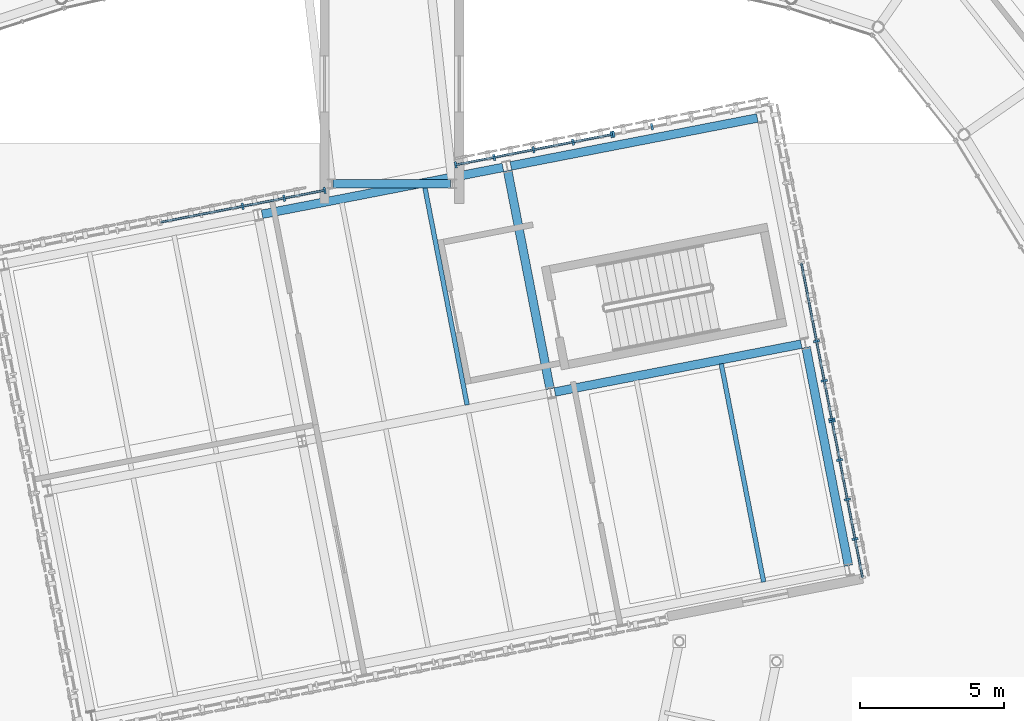
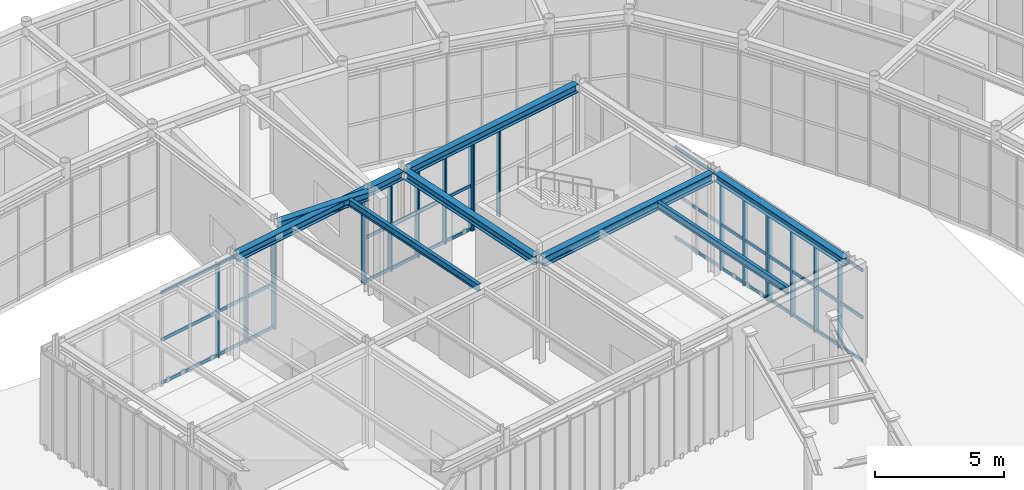
# One storey, part 45 of 97: 29 members, 8 beams, 5 elements without a shape of their own.
"""IFC4 building model written with IfcOpenShell, lengths in metres."""

import ifcopenshell
import ifcopenshell.guid

model = None  # the IFC model being written
_history = None  # IfcOwnerHistory: only IFC2X3 demands one
_inside = {}  # id of a spatial element -> (the spatial element, [elements in it])
_under = {}  # id of a project, library or spatial element -> (it, [spatial elements below it])
_declared = {}  # id of a project -> (the project, [libraries it declares])
_typed = {}  # id of a type object -> (the type object, [elements of that type])
_made_of = {}  # id of a material, layer set ... -> (it, [elements and type objects made of it])


def new_model(schema):
    """Start an empty IFC model of exactly this schema.

    Asked for "IFC4X3", IfcOpenShell would pick the latest addendum, in which some entities
    have other attributes; the version numbers below select the first issue.
    IFC2X3 requires an IfcOwnerHistory on every rooted entity: one is made here for all.
    """
    global model, _history
    if schema == "IFC4X3":
        model = ifcopenshell.file(schema_version=(4, 3, 0, 0))
    else:
        model = ifcopenshell.file(schema=schema)
    _inside.clear()
    _under.clear()
    _declared.clear()
    _typed.clear()
    _made_of.clear()
    _history = None
    if model.schema == "IFC2X3":
        org = make("IfcOrganization", Name="unknown")
        user = make(
            "IfcPersonAndOrganization",
            ThePerson=make("IfcPerson", FamilyName="unknown"),
            TheOrganization=org,
        )
        app = make(
            "IfcApplication",
            ApplicationDeveloper=org,
            Version="unknown",
            ApplicationFullName="unknown",
            ApplicationIdentifier="unknown",
        )
        _history = make(
            "IfcOwnerHistory",
            OwningUser=user,
            OwningApplication=app,
            ChangeAction="ADDED",
            CreationDate=0,
        )
    return model


def make(cls, **values):
    """One entity of the class cls with the attributes given. An attribute that is None is left unset."""
    return model.create_entity(
        cls, **{name: value for name, value in values.items() if value is not None}
    )


def rooted(cls, **values):
    """An entity with a GlobalId (a new one), such as an element, a storey or a relation."""
    return make(cls, GlobalId=ifcopenshell.guid.new(), OwnerHistory=_history, **values)


def si_unit(unit_type, name, prefix=None):
    """IfcSIUnit, for example si_unit("LENGTHUNIT", "METRE", prefix="MILLI")."""
    return make("IfcSIUnit", UnitType=unit_type, Prefix=prefix, Name=name)


def assignment(units):
    """IfcUnitAssignment: the units of a project."""
    return None if units is None else make("IfcUnitAssignment", Units=units)


def point(xyz):
    """IfcCartesianPoint."""
    return None if xyz is None else make("IfcCartesianPoint", Coordinates=xyz)


def direction(xyz):
    """IfcDirection."""
    return None if xyz is None else make("IfcDirection", DirectionRatios=xyz)


def frame(location, z_axis=None, x_axis=None):
    """IfcAxis2Placement3D, a coordinate frame: its origin and axes. An axis left out is left unset."""
    return make(
        "IfcAxis2Placement3D",
        Location=point(location),
        Axis=direction(z_axis),
        RefDirection=direction(x_axis),
    )


def frame_2d(location, x_axis=None):
    """IfcAxis2Placement2D, a coordinate frame in the plane: its origin and x axis."""
    return make(
        "IfcAxis2Placement2D", Location=point(location), RefDirection=direction(x_axis)
    )


def origin():
    """The frame at (0, 0, 0) with its axes left unset."""
    return frame((0.0, 0.0, 0.0))


def origin_2d():
    """The frame at (0, 0) in the plane with its x axis left unset."""
    return frame_2d((0.0, 0.0))


def place(relative_to, where):
    """IfcLocalPlacement: puts the frame where relative to a parent placement (None: the world)."""
    return make(
        "IfcLocalPlacement", PlacementRelTo=relative_to, RelativePlacement=where
    )


def context(
    kind, dimensions, precision=None, world=None, true_north=None, identifier=None
):
    """IfcGeometricRepresentationContext, for example the 3D "Model" context."""
    return make(
        "IfcGeometricRepresentationContext",
        ContextIdentifier=identifier,
        ContextType=kind,
        CoordinateSpaceDimension=dimensions,
        Precision=precision,
        WorldCoordinateSystem=world,
        TrueNorth=true_north,
    )


def subcontext(parent, identifier, kind, view, scale=None):
    """IfcGeometricRepresentationSubContext, for example "Body" below "Model"."""
    return make(
        "IfcGeometricRepresentationSubContext",
        ContextIdentifier=identifier,
        ContextType=kind,
        ParentContext=parent,
        TargetScale=scale,
        TargetView=view,
    )


def project(units=None, contexts=None):
    """IfcProject with its units and contexts."""
    return rooted(
        "IfcProject",
        Name="project",
        RepresentationContexts=contexts,
        UnitsInContext=assignment(units),
    )


def spatial(cls, under=None, at=None, **own):
    """A site, building, storey or space (cls), placed at a placement, below another one or the project."""
    s = rooted(cls, ObjectPlacement=at, **own)
    if under is not None:
        _under.setdefault(under.id(), (under, []))[1].append(s)
    return s


def profile(cls, at=None, kind="AREA", **sizes):
    """A parametric profile (cls). Its sizes go by their IFC names, for example OverallWidth=200.0."""
    return make(cls, ProfileType=kind, Position=at, **sizes)


def rectangle(**sizes):
    """IfcRectangleProfileDef."""
    return profile("IfcRectangleProfileDef", **sizes)


def i_section(**sizes):
    """IfcIShapeProfileDef."""
    return profile("IfcIShapeProfileDef", **sizes)


def extrude(swept, where, along, depth):
    """IfcExtrudedAreaSolid: the profile swept, set in the frame where, extruded along a direction by depth."""
    return make(
        "IfcExtrudedAreaSolid",
        SweptArea=swept,
        Position=where,
        ExtrudedDirection=direction(along),
        Depth=depth,
    )


def shape(context_of_items, identifier, shape_type, items):
    """IfcShapeRepresentation: the items that make up one representation, for example the "Body"."""
    return make(
        "IfcShapeRepresentation",
        ContextOfItems=context_of_items,
        RepresentationIdentifier=identifier,
        RepresentationType=shape_type,
        Items=items,
    )


def material(Name=None, Category=None):
    """IfcMaterial."""
    return make("IfcMaterial", Name=Name, Category=Category)


def material_profile(
    of_material, cross_section, Name=None, Category=None, Priority=None
):
    """IfcMaterialProfile: a cross section and its material."""
    return make(
        "IfcMaterialProfile",
        Name=Name,
        Material=of_material,
        Profile=cross_section,
        Priority=Priority,
        Category=Category,
    )


def profile_set(profiles, Name=None, composite=None):
    """IfcMaterialProfileSet."""
    return make(
        "IfcMaterialProfileSet",
        Name=Name,
        MaterialProfiles=profiles,
        CompositeProfile=composite,
    )


def made_of(thing, what):
    """Note that an element or type object is made of a material, layer set ...; save() writes the relation."""
    if what is not None:
        _made_of.setdefault(what.id(), (what, []))[1].append(thing)
    return thing


def type_object(cls, material=None, **own):
    """A type object (cls), such as IfcWallType, which elements share."""
    return made_of(rooted(cls, **own), material)


def element(
    cls,
    number,
    at=None,
    inside=None,
    cuts=None,
    type_object=None,
    material=None,
    context=None,
    identifier="Body",
    shape_type=None,
    held_by="IfcProductDefinitionShape",
    body=None,
    shapes=None,
    **own,
):
    """One element of the class cls, such as IfcWall. Its Tag is "e" and its number.

    at: its placement. inside: the storey or other place that contains it. cuts: it is an
    opening in that element (IfcRelVoidsElement). A single representation is given by context,
    identifier, shape_type and body (its items); several are given by shapes. held_by: the class
    of the entity that holds the representations. save() writes the other relations.
    """
    e = rooted(cls, Tag="e%d" % number, ObjectPlacement=at, **own)
    if body is not None:
        shapes = [shape(context, identifier, shape_type, body)]
    if shapes is not None:
        e.Representation = make(held_by, Representations=shapes)
    if inside is not None:
        _inside.setdefault(inside.id(), (inside, []))[1].append(e)
    if cuts is not None:
        rooted(
            "IfcRelVoidsElement", RelatingBuildingElement=cuts, RelatedOpeningElement=e
        )
    if type_object is not None:
        _typed.setdefault(type_object.id(), (type_object, []))[1].append(e)
    return made_of(e, material)


def aggregate(whole, parts):
    """IfcRelAggregates: a whole, such as a stair, and the parts it consists of."""
    return rooted("IfcRelAggregates", RelatingObject=whole, RelatedObjects=parts)


def save(model, path):
    """Write the relations noted so far, then the file.

    IfcRelAggregates (storeys below a building ...), IfcRelContainedInSpatialStructure (elements
    in a storey), IfcRelDefinesByType, IfcRelAssociatesMaterial and IfcRelDeclares: one each for
    every whole, place, type object, material and project.
    """
    for whole, parts in _under.values():
        aggregate(whole, parts)
    for where, things in _inside.values():
        rooted(
            "IfcRelContainedInSpatialStructure",
            RelatedElements=things,
            RelatingStructure=where,
        )
    for kind, things in _typed.values():
        rooted("IfcRelDefinesByType", RelatedObjects=things, RelatingType=kind)
    for what, things in _made_of.values():
        rooted("IfcRelAssociatesMaterial", RelatedObjects=things, RelatingMaterial=what)
    for by, libraries in _declared.values():
        rooted("IfcRelDeclares", RelatingContext=by, RelatedDefinitions=libraries)
    model.write(path)


model = new_model("IFC4")

# Units and contexts
model_context = context("Model", 3, precision=1e-05, world=origin(), true_north=direction((0.0, 1.0)))
body_context = subcontext(model_context, "Body", "Model", "MODEL_VIEW")
ifc_project = project(units=[si_unit("LENGTHUNIT", "METRE"), si_unit("AREAUNIT", "SQUARE_METRE"), si_unit("VOLUMEUNIT", "CUBIC_METRE"), si_unit("PLANEANGLEUNIT", "RADIAN"), si_unit("MASSUNIT", "GRAM", prefix="KILO")], contexts=[model_context])

# Site, building, storey
site_placement = place(None, origin())
site = spatial("IfcSite", under=ifc_project, at=site_placement, CompositionType="ELEMENT")
building_placement = place(site_placement, origin())
building = spatial("IfcBuilding", under=site, at=building_placement, Name="Varnklinge Art Gallery", CompositionType="ELEMENT")
storey_placement = place(building_placement, origin())
storey = spatial("IfcBuildingStorey", under=building, at=storey_placement, Name="L00", CompositionType="ELEMENT", Elevation=0.0)

# Beams
ifc_material_1 = material(Name="Steel S355", Category="steel")
ifc_material_profile_1 = material_profile(ifc_material_1, i_section(OverallWidth=0.300048828125, OverallDepth=0.43994140625, WebThickness=0.011474609375, FlangeThickness=0.02099609375, FilletRadius=0.027099609375, at=origin_2d()), Name="HEA 450")
ifc_profile_set_1 = profile_set([ifc_material_profile_1], Name="Steel S355")
beam_type_1 = type_object("IfcBeamType", Name="BM-08", PredefinedType="BEAM", material=ifc_profile_set_1)
beam_1_placement = place(storey_placement, frame((79.95654296875, 73.3662109375, 4.659912109375), z_axis=(0.981628064538, 0.190804462503, 0.0), x_axis=(-0.190804462503, 0.981628064538, 0.0)))
element("IfcBeam", 1, at=beam_1_placement, inside=storey, type_object=beam_type_1, Name="L00 BM-08 BM-V4B-L01-U1-2", PredefinedType="BEAM", context=body_context, shape_type="SweptSolid", body=[
    extrude(i_section(OverallWidth=0.300048828125, OverallDepth=0.43994140625, WebThickness=0.011474609375, FlangeThickness=0.02099609375, FilletRadius=0.027099609375, at=origin_2d()), origin(), (0.0, 0.0, 1.0), 8.719970703125),
])
ifc_material_2 = material(Name="Steel S355", Category="steel")
ifc_material_profile_2 = material_profile(ifc_material_2, i_section(OverallWidth=0.300048828125, OverallDepth=0.389892578125, WebThickness=0.010986328125, FlangeThickness=0.01904296875, FilletRadius=0.027099609375, at=origin_2d()), Name="HEA 400")
ifc_profile_set_2 = profile_set([ifc_material_profile_2], Name="Steel S355")
beam_type_2 = type_object("IfcBeamType", Name="BM-09", PredefinedType="BEAM", material=ifc_profile_set_2)
beam_2_placement = place(storey_placement, frame((79.79248046875, 73.47705078125, 4.68505859375), z_axis=(-0.190822257393, 0.98162460548, 0.0), x_axis=(-0.98162460548, -0.190822257393, 0.0)))
element("IfcBeam", 2, at=beam_2_placement, inside=storey, type_object=beam_type_2, Name="L00 BM-09 BM-V4B-L01-V2-1", PredefinedType="BEAM", context=body_context, shape_type="SweptSolid", body=[
    extrude(i_section(OverallWidth=0.300048828125, OverallDepth=0.389892578125, WebThickness=0.010986328125, FlangeThickness=0.01904296875, FilletRadius=0.027099609375, at=origin_2d()), origin(), (0.0, 0.0, 1.0), 7.719970703125),
])
beam_3_placement = place(storey_placement, frame((72.260009765625, 80.60009765625, 4.68505859375), z_axis=(1.0, 0.0, 0.0), x_axis=(0.0, 1.0, 0.0)))
element("IfcBeam", 3, at=beam_3_placement, inside=storey, type_object=beam_type_2, Name="L00 BM-09 BM-LNK-V4N-L01-1", PredefinedType="BEAM", context=body_context, shape_type="SweptSolid", body=[
    extrude(i_section(OverallWidth=0.300048828125, OverallDepth=0.389892578125, WebThickness=0.010986328125, FlangeThickness=0.01904296875, FilletRadius=0.027099609375, at=origin_2d()), origin(), (0.0, 0.0, 1.0), 4.080078125),
])
ifc_material_3 = material(Name="Steel S355", Category="steel")
ifc_material_profile_3 = material_profile(ifc_material_3, i_section(OverallWidth=0.159912109375, OverallDepth=0.330078125, WebThickness=0.007568359375, FlangeThickness=0.011474609375, FilletRadius=0.01806640625, at=origin_2d()), Name="IPE 330")
ifc_profile_set_3 = profile_set([ifc_material_profile_3], Name="Steel S355")
beam_type_3 = type_object("IfcBeamType", Name="JST-07", PredefinedType="JOIST", material=ifc_profile_set_3)
beam_4_placement = place(storey_placement, frame((76.9130859375, 72.917236328125, 4.715087890625), z_axis=(-0.190816333803, 0.981625756974, 0.0), x_axis=(-0.981625756974, -0.190816333803, 0.0)))
element("IfcBeam", 4, at=beam_4_placement, inside=storey, type_object=beam_type_3, Name="L00 JST-07 JST-V4B-L01-1-1-2", PredefinedType="JOIST", context=body_context, shape_type="SweptSolid", body=[
    extrude(i_section(OverallWidth=0.159912109375, OverallDepth=0.330078125, WebThickness=0.007568359375, FlangeThickness=0.011474609375, FilletRadius=0.01806640625, at=origin_2d()), origin(), (0.0, 0.0, 1.0), 7.72021484375),
])
beam_5_placement = place(storey_placement, frame((87.208740234375, 66.768798828125, 4.715087890625), z_axis=(-0.190822257393, 0.98162460548, 0.0), x_axis=(-0.98162460548, -0.190822257393, 0.0)))
element("IfcBeam", 5, at=beam_5_placement, inside=storey, type_object=beam_type_3, Name="L00 JST-07 JST-V4B-L01-2-0-2", PredefinedType="JOIST", context=body_context, shape_type="SweptSolid", body=[
    extrude(i_section(OverallWidth=0.159912109375, OverallDepth=0.330078125, WebThickness=0.007568359375, FlangeThickness=0.011474609375, FilletRadius=0.01806640625, at=origin_2d()), origin(), (0.0, 0.0, 1.0), 7.719970703125),
])

# Curtain wall, members
ifc_material_4 = material(Name="Anodised Aluminium", Category="aluminium")
curtain_wall_type_1 = type_object("IfcCurtainWallType", Name="CW-L05", PredefinedType="USERDEFINED", material=ifc_material_4)
curtain_wall_1_placement = place(storey_placement, origin())
curtain_wall_1 = element("IfcCurtainWall", 6, at=curtain_wall_1_placement, inside=storey, type_object=curtain_wall_type_1, Name="L00 Curtain Wall CW-V4B-L00-2-1-1", ObjectType="UNITISED CURTAIN WALL", PredefinedType="USERDEFINED")
ifc_material_5 = material(Name="Anodised Aluminium", Category="aluminium")
ifc_material_profile_4 = material_profile(ifc_material_5, rectangle(XDim=0.074951171875, YDim=0.219970703125, at=origin_2d()), Name="ALU 75x220")
ifc_profile_set_4 = profile_set([ifc_material_profile_4], Name="Anodised Aluminium")
member_type_1 = type_object("IfcMemberType", Name="MUL-02", PredefinedType="MULLION", material=ifc_profile_set_4)
member_1_placement = place(storey_placement, frame((90.382080078125, 68.26171875, 0.0), z_axis=(0.0, 0.0, 1.0), x_axis=(-0.190808995377, 0.981627183448, 0.0)))
member_1 = element("IfcMember", 7, at=member_1_placement, type_object=member_type_1, Name="CW-V4B-L00-2-1-1 Mullion 2", PredefinedType="MULLION", context=body_context, shape_type="SweptSolid", body=[
    extrude(rectangle(XDim=0.074951171875, YDim=0.219970703125, at=origin_2d()), origin(), (0.0, 0.0, 1.0), 4.429931640625),
])
member_2_placement = place(storey_placement, frame((90.114990234375, 69.635986328125, 0.0), z_axis=(0.0, 0.0, 1.0), x_axis=(-0.190808995377, 0.981627183448, 0.0)))
member_2 = element("IfcMember", 8, at=member_2_placement, type_object=member_type_1, Name="CW-V4B-L00-2-1-1 Mullion 3", PredefinedType="MULLION", context=body_context, shape_type="SweptSolid", body=[
    extrude(rectangle(XDim=0.074951171875, YDim=0.219970703125, at=origin_2d()), origin(), (0.0, 0.0, 1.0), 4.429931640625),
])
member_3_placement = place(storey_placement, frame((89.847900390625, 71.01025390625, 0.0), z_axis=(0.0, 0.0, 1.0), x_axis=(-0.190808995377, 0.981627183448, 0.0)))
member_3 = element("IfcMember", 9, at=member_3_placement, type_object=member_type_1, Name="CW-V4B-L00-2-1-1 Mullion 4", PredefinedType="MULLION", context=body_context, shape_type="SweptSolid", body=[
    extrude(rectangle(XDim=0.074951171875, YDim=0.219970703125, at=origin_2d()), origin(), (0.0, 0.0, 1.0), 4.429931640625),
])
member_4_placement = place(storey_placement, frame((89.587890625, 72.347900390625, 0.0), z_axis=(0.0, 0.0, 1.0), x_axis=(-0.190808995377, 0.981627183448, 0.0)))
member_4 = element("IfcMember", 10, at=member_4_placement, type_object=member_type_1, Name="CW-V4B-L00-2-1-1 Mullion 5", PredefinedType="MULLION", context=body_context, shape_type="SweptSolid", body=[
    extrude(rectangle(XDim=0.074951171875, YDim=0.219970703125, at=origin_2d()), origin(), (0.0, 0.0, 1.0), 4.429931640625),
])

curtain_wall_2_placement = place(storey_placement, origin())
curtain_wall_2 = element("IfcCurtainWall", 11, at=curtain_wall_2_placement, inside=storey, type_object=curtain_wall_type_1, Name="L00 Curtain Wall CW-V4B-L00-2-1-2", ObjectType="UNITISED CURTAIN WALL", PredefinedType="USERDEFINED")
member_5_placement = place(storey_placement, frame((89.573486328125, 72.42138671875, 0.0), z_axis=(0.0, 0.0, 1.0), x_axis=(-0.190808995377, 0.981627183448, 0.0)))
member_5 = element("IfcMember", 12, at=member_5_placement, type_object=member_type_1, Name="CW-V4B-L00-2-1-2 Mullion 1", PredefinedType="MULLION", context=body_context, shape_type="SweptSolid", body=[
    extrude(rectangle(XDim=0.074951171875, YDim=0.219970703125, at=origin_2d()), origin(), (0.0, 0.0, 1.0), 4.429931640625),
])
member_6_placement = place(storey_placement, frame((89.313720703125, 73.7587890625, 0.0), z_axis=(0.0, 0.0, 1.0), x_axis=(-0.190808995377, 0.981627183448, 0.0)))
member_6 = element("IfcMember", 13, at=member_6_placement, type_object=member_type_1, Name="CW-V4B-L00-2-1-2 Mullion 2", PredefinedType="MULLION", context=body_context, shape_type="SweptSolid", body=[
    extrude(rectangle(XDim=0.074951171875, YDim=0.219970703125, at=origin_2d()), origin(), (0.0, 0.0, 1.0), 4.429931640625),
])
member_7_placement = place(storey_placement, frame((89.04638671875, 75.13330078125, 0.0), z_axis=(0.0, 0.0, 1.0), x_axis=(-0.190808995377, 0.981627183448, 0.0)))
member_7 = element("IfcMember", 14, at=member_7_placement, type_object=member_type_1, Name="CW-V4B-L00-2-1-2 Mullion 3", PredefinedType="MULLION", context=body_context, shape_type="SweptSolid", body=[
    extrude(rectangle(XDim=0.074951171875, YDim=0.219970703125, at=origin_2d()), origin(), (0.0, 0.0, 1.0), 4.429931640625),
])

curtain_wall_3_placement = place(storey_placement, origin())
curtain_wall_3 = element("IfcCurtainWall", 15, at=curtain_wall_3_placement, inside=storey, type_object=curtain_wall_type_1, Name="L00 Curtain Wall CW-V4B-L00-3-1-1", ObjectType="UNITISED CURTAIN WALL", PredefinedType="USERDEFINED")
member_8_placement = place(storey_placement, frame((83.332275390625, 82.57958984375, 0.0), z_axis=(0.0, 0.0, 1.0), x_axis=(-0.981627183448, -0.190808995377, 0.0)))
member_8 = element("IfcMember", 16, at=member_8_placement, type_object=member_type_1, Name="CW-V4B-L00-3-1-1 Mullion 4", PredefinedType="MULLION", context=body_context, shape_type="SweptSolid", body=[
    extrude(rectangle(XDim=0.074951171875, YDim=0.219970703125, at=origin_2d()), origin(), (0.0, 0.0, 1.0), 4.429931640625),
])
member_9_placement = place(storey_placement, frame((81.99853515625, 82.3203125, 0.0), z_axis=(0.0, 0.0, 1.0), x_axis=(-0.981627183448, -0.190808995377, 0.0)))
member_9 = element("IfcMember", 17, at=member_9_placement, type_object=member_type_1, Name="CW-V4B-L00-3-1-1 Mullion 5", PredefinedType="MULLION", context=body_context, shape_type="SweptSolid", body=[
    extrude(rectangle(XDim=0.074951171875, YDim=0.219970703125, at=origin_2d()), origin(), (0.0, 0.0, 1.0), 4.429931640625),
])
aggregate(curtain_wall_3, [member_8, member_9])

curtain_wall_4_placement = place(storey_placement, origin())
curtain_wall_4 = element("IfcCurtainWall", 18, at=curtain_wall_4_placement, inside=storey, type_object=curtain_wall_type_1, Name="L00 Curtain Wall CW-V4B-L00-3-1-2", ObjectType="UNITISED CURTAIN WALL", PredefinedType="USERDEFINED")
member_10_placement = place(storey_placement, frame((81.925048828125, 82.305908203125, 0.0), z_axis=(0.0, 0.0, 1.0), x_axis=(-0.981627183448, -0.190808995377, 0.0)))
member_10 = element("IfcMember", 19, at=member_10_placement, type_object=member_type_1, Name="CW-V4B-L00-3-1-2 Mullion 1", PredefinedType="MULLION", context=body_context, shape_type="SweptSolid", body=[
    extrude(rectangle(XDim=0.074951171875, YDim=0.219970703125, at=origin_2d()), origin(), (0.0, 0.0, 1.0), 4.429931640625),
])
member_11_placement = place(storey_placement, frame((80.59130859375, 82.046875, 0.0), z_axis=(0.0, 0.0, 1.0), x_axis=(-0.981627183448, -0.190808995377, 0.0)))
member_11 = element("IfcMember", 20, at=member_11_placement, type_object=member_type_1, Name="CW-V4B-L00-3-1-2 Mullion 2", PredefinedType="MULLION", context=body_context, shape_type="SweptSolid", body=[
    extrude(rectangle(XDim=0.074951171875, YDim=0.219970703125, at=origin_2d()), origin(), (0.0, 0.0, 1.0), 4.429931640625),
])
member_12_placement = place(storey_placement, frame((79.220947265625, 81.780517578125, 0.0), z_axis=(0.0, 0.0, 1.0), x_axis=(-0.981627183448, -0.190808995377, 0.0)))
member_12 = element("IfcMember", 21, at=member_12_placement, type_object=member_type_1, Name="CW-V4B-L00-3-1-2 Mullion 3", PredefinedType="MULLION", context=body_context, shape_type="SweptSolid", body=[
    extrude(rectangle(XDim=0.074951171875, YDim=0.219970703125, at=origin_2d()), origin(), (0.0, 0.0, 1.0), 4.429931640625),
])
member_13_placement = place(storey_placement, frame((77.850341796875, 81.51416015625, 0.0), z_axis=(0.0, 0.0, 1.0), x_axis=(-0.981627183448, -0.190808995377, 0.0)))
member_13 = element("IfcMember", 22, at=member_13_placement, type_object=member_type_1, Name="CW-V4B-L00-3-1-2 Mullion 4", PredefinedType="MULLION", context=body_context, shape_type="SweptSolid", body=[
    extrude(rectangle(XDim=0.074951171875, YDim=0.219970703125, at=origin_2d()), origin(), (0.0, 0.0, 1.0), 4.429931640625),
])
member_14_placement = place(storey_placement, frame((76.516845703125, 81.2548828125, 0.0), z_axis=(0.0, 0.0, 1.0), x_axis=(-0.981627183448, -0.190808995377, 0.0)))
member_14 = element("IfcMember", 23, at=member_14_placement, type_object=member_type_1, Name="CW-V4B-L00-3-1-2 Mullion 5", PredefinedType="MULLION", context=body_context, shape_type="SweptSolid", body=[
    extrude(rectangle(XDim=0.074951171875, YDim=0.219970703125, at=origin_2d()), origin(), (0.0, 0.0, 1.0), 4.429931640625),
])

ifc_material_6 = material(Name="Anodised Aluminium", Category="aluminium")
curtain_wall_type_2 = type_object("IfcCurtainWallType", Name="CW-L01", PredefinedType="USERDEFINED", material=ifc_material_6)
curtain_wall_5_placement = place(storey_placement, origin())
curtain_wall_5 = element("IfcCurtainWall", 24, at=curtain_wall_5_placement, inside=storey, type_object=curtain_wall_type_2, Name="L00 Curtain Wall CW-V4B-L00-3-2-1", ObjectType="UNITISED CURTAIN WALL", PredefinedType="USERDEFINED")
member_15_placement = place(storey_placement, frame((71.963134765625, 80.36962890625, 0.0), z_axis=(0.0, 0.0, 1.0), x_axis=(-0.981627183448, -0.190808995377, 0.0)))
member_15 = element("IfcMember", 25, at=member_15_placement, type_object=member_type_1, Name="CW-V4B-L00-3-2-1 Mullion 1", PredefinedType="MULLION", context=body_context, shape_type="SweptSolid", body=[
    extrude(rectangle(XDim=0.074951171875, YDim=0.219970703125, at=origin_2d()), origin(), (0.0, 0.0, 1.0), 4.429931640625),
])
member_16_placement = place(storey_placement, frame((70.558837890625, 80.0966796875, 0.0), z_axis=(0.0, 0.0, 1.0), x_axis=(-0.981627183448, -0.190808995377, 0.0)))
member_16 = element("IfcMember", 26, at=member_16_placement, type_object=member_type_1, Name="CW-V4B-L00-3-2-1 Mullion 2", PredefinedType="MULLION", context=body_context, shape_type="SweptSolid", body=[
    extrude(rectangle(XDim=0.074951171875, YDim=0.219970703125, at=origin_2d()), origin(), (0.0, 0.0, 1.0), 4.429931640625),
])
member_17_placement = place(storey_placement, frame((69.11767578125, 79.816650390625, 0.0), z_axis=(0.0, 0.0, 1.0), x_axis=(-0.981627183448, -0.190808995377, 0.0)))
member_17 = element("IfcMember", 27, at=member_17_placement, type_object=member_type_1, Name="CW-V4B-L00-3-2-1 Mullion 3", PredefinedType="MULLION", context=body_context, shape_type="SweptSolid", body=[
    extrude(rectangle(XDim=0.074951171875, YDim=0.219970703125, at=origin_2d()), origin(), (0.0, 0.0, 1.0), 4.429931640625),
])

# Beams
ifc_material_7 = material(Name="Steel S355", Category="steel")
ifc_material_profile_5 = material_profile(ifc_material_7, i_section(OverallWidth=0.300048828125, OverallDepth=0.389892578125, WebThickness=0.010986328125, FlangeThickness=0.01904296875, FilletRadius=0.027099609375, at=origin_2d()), Name="HEA 400")
ifc_profile_set_5 = profile_set([ifc_material_profile_5], Name="Steel S355")
beam_type_4 = type_object("IfcBeamType", Name="SPB-03", PredefinedType="SPANDREL", material=ifc_profile_set_5)
beam_6_placement = place(storey_placement, frame((69.791748046875, 79.540283203125, 4.68505859375), z_axis=(0.981626572932, 0.190812136181, 0.0), x_axis=(-0.190812136181, 0.981626572932, 0.0)))
element("IfcBeam", 28, at=beam_6_placement, inside=storey, type_object=beam_type_4, Name="L00 SPB-03 BM-V4B-L01-U2-1", PredefinedType="SPANDREL", context=body_context, shape_type="SweptSolid", body=[
    extrude(i_section(OverallWidth=0.300048828125, OverallDepth=0.389892578125, WebThickness=0.010986328125, FlangeThickness=0.01904296875, FilletRadius=0.027099609375, at=origin_2d()), origin(), (0.0, 0.0, 1.0), 8.52001953125),
])
beam_7_placement = place(storey_placement, frame((78.43017578125, 81.21923828125, 4.68505859375), z_axis=(0.98162282025, 0.190831440713, 0.0), x_axis=(-0.190831440713, 0.98162282025, 0.0)))
element("IfcBeam", 29, at=beam_7_placement, inside=storey, type_object=beam_type_4, Name="L00 SPB-03 BM-V4B-L01-U2-2", PredefinedType="SPANDREL", context=body_context, shape_type="SweptSolid", body=[
    extrude(i_section(OverallWidth=0.300048828125, OverallDepth=0.389892578125, WebThickness=0.010986328125, FlangeThickness=0.01904296875, FilletRadius=0.027099609375, at=origin_2d()), origin(), (0.0, 0.0, 1.0), 8.719970703125),
])
ifc_material_8 = material(Name="Steel S355", Category="steel")
ifc_material_profile_6 = material_profile(ifc_material_8, i_section(OverallWidth=0.300048828125, OverallDepth=0.35009765625, WebThickness=0.010009765625, FlangeThickness=0.017578125, FilletRadius=0.027099609375, at=origin_2d()), Name="HEA 360")
ifc_profile_set_6 = profile_set([ifc_material_profile_6], Name="Steel S355")
beam_type_5 = type_object("IfcBeamType", Name="SPB-04", PredefinedType="SPANDREL", material=ifc_profile_set_6)
beam_8_placement = place(storey_placement, frame((90.153564453125, 67.34130859375, 4.705078125), z_axis=(-0.190822257393, 0.98162460548, 0.0), x_axis=(-0.98162460548, -0.190822257393, 0.0)))
element("IfcBeam", 30, at=beam_8_placement, inside=storey, type_object=beam_type_5, Name="L00 SPB-04 BM-V4B-L01-V3-0", PredefinedType="SPANDREL", context=body_context, shape_type="SweptSolid", body=[
    extrude(i_section(OverallWidth=0.300048828125, OverallDepth=0.35009765625, WebThickness=0.010009765625, FlangeThickness=0.017578125, FilletRadius=0.027099609375, at=origin_2d()), origin(), (0.0, 0.0, 1.0), 7.719970703125),
])

# Member
ifc_material_9 = material(Name="Anodised Aluminium", Category="aluminium")
ifc_material_profile_7 = material_profile(ifc_material_9, rectangle(XDim=0.06494140625, YDim=0.14990234375, at=origin_2d()), Name="ALU 65x150")
ifc_profile_set_7 = profile_set([ifc_material_profile_7], Name="Anodised Aluminium")
member_type_2 = type_object("IfcMemberType", Name="TRN-01", PredefinedType="USERDEFINED", material=ifc_profile_set_7)
member_18_placement = place(storey_placement, frame((90.64208984375, 66.92431640625, 0.074951171875), z_axis=(-0.190802243749, 0.981628495807, 0.0), x_axis=(-0.981628495807, -0.190802243749, 0.0)))
member_18 = element("IfcMember", 31, at=member_18_placement, type_object=member_type_2, Name="CW-V4B-L00-2-1-1 Transom 1", ObjectType="TRANSOM", PredefinedType="USERDEFINED", context=body_context, shape_type="SweptSolid", body=[
    extrude(rectangle(XDim=0.06494140625, YDim=0.14990234375, at=origin_2d()), origin(), (0.0, 0.0, 1.0), 5.525146484375),
])

member_19_placement = place(storey_placement, frame((90.64208984375, 66.92431640625, 2.12646484375), z_axis=(-0.190802243749, 0.981628495807, 0.0), x_axis=(-0.981628495807, -0.190802243749, 0.0)))
member_19 = element("IfcMember", 32, at=member_19_placement, type_object=member_type_2, Name="CW-V4B-L00-2-1-1 Transom 2", ObjectType="TRANSOM", PredefinedType="USERDEFINED", context=body_context, shape_type="SweptSolid", body=[
    extrude(rectangle(XDim=0.06494140625, YDim=0.14990234375, at=origin_2d()), origin(), (0.0, 0.0, 1.0), 5.525146484375),
])

member_20_placement = place(storey_placement, frame((90.64208984375, 66.92431640625, 4.35498046875), z_axis=(-0.190802243749, 0.981628495807, 0.0), x_axis=(-0.981628495807, -0.190802243749, 0.0)))
member_20 = element("IfcMember", 33, at=member_20_placement, type_object=member_type_2, Name="CW-V4B-L00-2-1-1 Transom 3", ObjectType="TRANSOM", PredefinedType="USERDEFINED", context=body_context, shape_type="SweptSolid", body=[
    extrude(rectangle(XDim=0.06494140625, YDim=0.14990234375, at=origin_2d()), origin(), (0.0, 0.0, 1.0), 5.525146484375),
])

aggregate(curtain_wall_1, [member_1, member_2, member_3, member_4, member_18, member_19, member_20])

member_21_placement = place(storey_placement, frame((89.573486328125, 72.42138671875, 0.074951171875), z_axis=(-0.190802243749, 0.981628495807, 0.0), x_axis=(-0.981628495807, -0.190802243749, 0.0)))
member_21 = element("IfcMember", 34, at=member_21_placement, type_object=member_type_2, Name="CW-V4B-L00-2-1-2 Transom 1", ObjectType="TRANSOM", PredefinedType="USERDEFINED", context=body_context, shape_type="SweptSolid", body=[
    extrude(rectangle(XDim=0.06494140625, YDim=0.14990234375, at=origin_2d()), origin(), (0.0, 0.0, 1.0), 5.525146484375),
])

member_22_placement = place(storey_placement, frame((89.573486328125, 72.42138671875, 2.12646484375), z_axis=(-0.190802243749, 0.981628495807, 0.0), x_axis=(-0.981628495807, -0.190802243749, 0.0)))
member_22 = element("IfcMember", 35, at=member_22_placement, type_object=member_type_2, Name="CW-V4B-L00-2-1-2 Transom 2", ObjectType="TRANSOM", PredefinedType="USERDEFINED", context=body_context, shape_type="SweptSolid", body=[
    extrude(rectangle(XDim=0.06494140625, YDim=0.14990234375, at=origin_2d()), origin(), (0.0, 0.0, 1.0), 5.525146484375),
])

member_23_placement = place(storey_placement, frame((89.573486328125, 72.42138671875, 4.35498046875), z_axis=(-0.190802243749, 0.981628495807, 0.0), x_axis=(-0.981628495807, -0.190802243749, 0.0)))
member_23 = element("IfcMember", 36, at=member_23_placement, type_object=member_type_2, Name="CW-V4B-L00-2-1-2 Transom 3", ObjectType="TRANSOM", PredefinedType="USERDEFINED", context=body_context, shape_type="SweptSolid", body=[
    extrude(rectangle(XDim=0.06494140625, YDim=0.14990234375, at=origin_2d()), origin(), (0.0, 0.0, 1.0), 5.525146484375),
])

aggregate(curtain_wall_2, [member_5, member_6, member_7, member_21, member_22, member_23])

member_24_placement = place(storey_placement, frame((81.925048828125, 82.305908203125, 0.074951171875), z_axis=(-0.981634757396, -0.190770026661, 0.0), x_axis=(0.190770026661, -0.981634757396, 0.0)))
member_24 = element("IfcMember", 37, at=member_24_placement, type_object=member_type_2, Name="CW-V4B-L00-3-1-2 Transom 1", ObjectType="TRANSOM", PredefinedType="USERDEFINED", context=body_context, shape_type="SweptSolid", body=[
    extrude(rectangle(XDim=0.06494140625, YDim=0.14990234375, at=origin_2d()), origin(), (0.0, 0.0, 1.0), 5.50927734375),
])

member_25_placement = place(storey_placement, frame((81.925048828125, 82.305908203125, 2.12646484375), z_axis=(-0.981634757396, -0.190770026661, 0.0), x_axis=(0.190770026661, -0.981634757396, 0.0)))
member_25 = element("IfcMember", 38, at=member_25_placement, type_object=member_type_2, Name="CW-V4B-L00-3-1-2 Transom 2", ObjectType="TRANSOM", PredefinedType="USERDEFINED", context=body_context, shape_type="SweptSolid", body=[
    extrude(rectangle(XDim=0.06494140625, YDim=0.14990234375, at=origin_2d()), origin(), (0.0, 0.0, 1.0), 5.50927734375),
])

member_26_placement = place(storey_placement, frame((81.925048828125, 82.305908203125, 4.35498046875), z_axis=(-0.981634757396, -0.190770026661, 0.0), x_axis=(0.190770026661, -0.981634757396, 0.0)))
member_26 = element("IfcMember", 39, at=member_26_placement, type_object=member_type_2, Name="CW-V4B-L00-3-1-2 Transom 3", ObjectType="TRANSOM", PredefinedType="USERDEFINED", context=body_context, shape_type="SweptSolid", body=[
    extrude(rectangle(XDim=0.06494140625, YDim=0.14990234375, at=origin_2d()), origin(), (0.0, 0.0, 1.0), 5.50927734375),
])

aggregate(curtain_wall_4, [member_10, member_11, member_12, member_13, member_14, member_24, member_25, member_26])

member_27_placement = place(storey_placement, frame((71.963134765625, 80.36962890625, 0.074951171875), z_axis=(-0.981635109838, -0.190768213109, 0.0), x_axis=(0.190768213109, -0.981635109838, 0.0)))
member_27 = element("IfcMember", 40, at=member_27_placement, type_object=member_type_2, Name="CW-V4B-L00-3-2-1 Transom 1", ObjectType="TRANSOM", PredefinedType="USERDEFINED", context=body_context, shape_type="SweptSolid", body=[
    extrude(rectangle(XDim=0.06494140625, YDim=0.14990234375, at=origin_2d()), origin(), (0.0, 0.0, 1.0), 5.79736328125),
])

member_28_placement = place(storey_placement, frame((71.963134765625, 80.36962890625, 2.12646484375), z_axis=(-0.981635109838, -0.190768213109, 0.0), x_axis=(0.190768213109, -0.981635109838, 0.0)))
member_28 = element("IfcMember", 41, at=member_28_placement, type_object=member_type_2, Name="CW-V4B-L00-3-2-1 Transom 2", ObjectType="TRANSOM", PredefinedType="USERDEFINED", context=body_context, shape_type="SweptSolid", body=[
    extrude(rectangle(XDim=0.06494140625, YDim=0.14990234375, at=origin_2d()), origin(), (0.0, 0.0, 1.0), 5.79736328125),
])

member_29_placement = place(storey_placement, frame((71.963134765625, 80.36962890625, 4.35498046875), z_axis=(-0.981635109838, -0.190768213109, 0.0), x_axis=(0.190768213109, -0.981635109838, 0.0)))
member_29 = element("IfcMember", 42, at=member_29_placement, type_object=member_type_2, Name="CW-V4B-L00-3-2-1 Transom 3", ObjectType="TRANSOM", PredefinedType="USERDEFINED", context=body_context, shape_type="SweptSolid", body=[
    extrude(rectangle(XDim=0.06494140625, YDim=0.14990234375, at=origin_2d()), origin(), (0.0, 0.0, 1.0), 5.79736328125),
])

aggregate(curtain_wall_5, [member_15, member_16, member_17, member_27, member_28, member_29])

save(model, "model.ifc")
